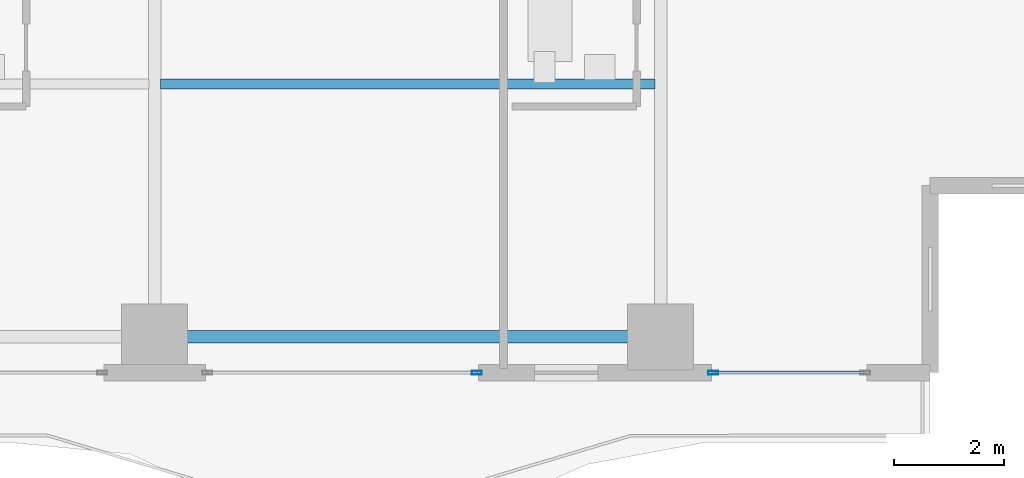
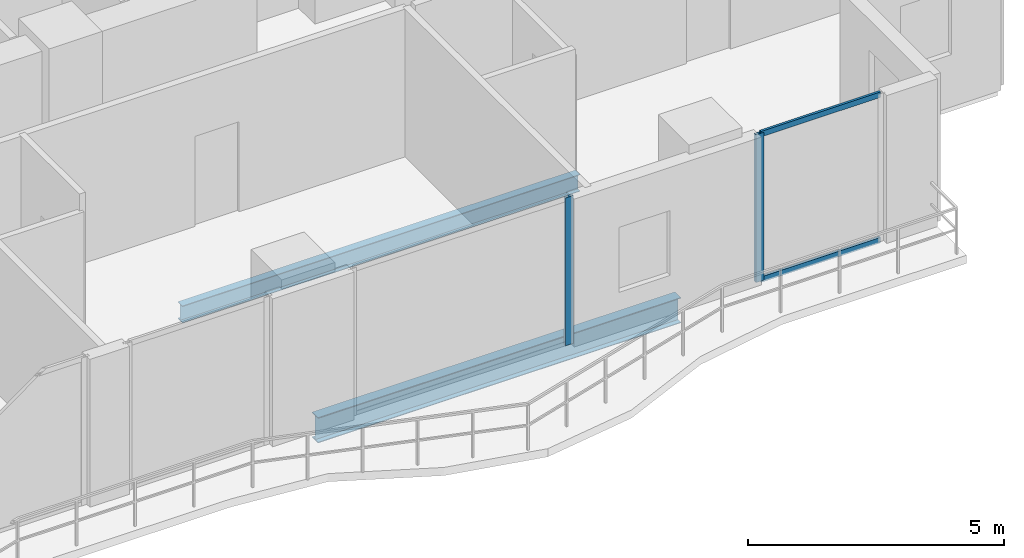
# One storey, part 10 of 33: 4 members, 2 beams, 2 elements without a shape of their own.
"""IFC4 building model written with IfcOpenShell, lengths in metres."""

from ifc_helpers import new_model, si_unit, direction, frame, origin, origin_2d, place, context, subcontext, project, spatial, hollow_rectangle, i_section, extrude, material, layer, layer_set, material_profile, profile_set, type_object, element, aggregate, save


model = new_model("IFC4")

# Units and contexts
model_context = context("Model", 3, precision=1e-05, world=origin(), true_north=direction((0.0, 1.0)))
body_context = subcontext(model_context, "Body", "Model", "MODEL_VIEW")
ifc_project = project(units=[si_unit("LENGTHUNIT", "METRE"), si_unit("AREAUNIT", "SQUARE_METRE"), si_unit("VOLUMEUNIT", "CUBIC_METRE"), si_unit("PLANEANGLEUNIT", "RADIAN"), si_unit("MASSUNIT", "GRAM", prefix="KILO")], contexts=[model_context])

# Site, building, storey
site_placement = place(None, origin())
site = spatial("IfcSite", under=ifc_project, at=site_placement, CompositionType="ELEMENT")
building_placement = place(site_placement, origin())
building = spatial("IfcBuilding", under=site, at=building_placement, Name="Zuhayl Quay Hotel", CompositionType="ELEMENT")
storey_placement = place(building_placement, frame((0.0, 0.0, 214.89990234375)))
storey = spatial("IfcBuildingStorey", under=building, at=storey_placement, Name="L54", CompositionType="ELEMENT", Elevation=214.89990234375)

# Beams
ifc_material_1 = material(Name="Steel ASTM A992 Grade 50", Category="steel")
ifc_material_profile_1 = material_profile(ifc_material_1, i_section(OverallWidth=0.22802734375, OverallDepth=0.60693359375, WebThickness=0.01123046875, FlangeThickness=0.017333984375, at=origin_2d()), Name="W24X76")
ifc_profile_set_1 = profile_set([ifc_material_profile_1], Name="Steel ASTM A992 Grade 50")
beam_type_1 = type_object("IfcBeamType", Name="BM_B3_W24X76", PredefinedType="BEAM", material=ifc_profile_set_1)
beam_1_placement = place(storey_placement, frame((5.10009765625, -6.949951171875, -0.5234375), z_axis=(1.0, 0.0, 0.0), x_axis=(0.0, 1.0, 0.0)))
element("IfcBeam", 1, at=beam_1_placement, inside=storey, type_object=beam_type_1, Name="L54 Floor Beam RG_L54_03", PredefinedType="BEAM", context=body_context, shape_type="SweptSolid", body=[
    extrude(i_section(OverallWidth=0.22802734375, OverallDepth=0.60693359375, WebThickness=0.01123046875, FlangeThickness=0.017333984375, at=origin_2d()), origin(), (0.0, 0.0, 1.0), 8.199951171875),
])
ifc_material_profile_2 = material_profile(ifc_material_1, i_section(OverallWidth=0.177978515625, OverallDepth=0.406005859375, WebThickness=0.0078125, FlangeThickness=0.0126953125, at=origin_2d()), Name="W16X40")
ifc_profile_set_2 = profile_set([ifc_material_profile_2], Name="Steel ASTM A992 Grade 50")
beam_type_2 = type_object("IfcBeamType", Name="BM_J2B_W16X40", PredefinedType="JOIST", material=ifc_profile_set_2)
beam_2_placement = place(storey_placement, frame((4.7060546875, -2.35009765625, -0.4228515625), z_axis=(1.0, 0.0, 0.0), x_axis=(0.0, 1.0, 0.0)))
element("IfcBeam", 2, at=beam_2_placement, inside=storey, type_object=beam_type_2, Name="L54 Floor Beam FJ_L54_7_3", PredefinedType="JOIST", context=body_context, shape_type="SweptSolid", body=[
    extrude(i_section(OverallWidth=0.177978515625, OverallDepth=0.406005859375, WebThickness=0.0078125, FlangeThickness=0.0126953125, at=origin_2d()), origin(), (0.0, 0.0, 1.0), 8.988037109375),
])

# Curtain wall, member
ifc_material_2 = material(Name="Anodised Aluminium 6063-T6", Category="aluminium")
ifc_layer = layer(ifc_material_2, 0.175048828125, Name="Anodised Aluminium 6063-T6", Category="aluminium")
ifc_layer_set = layer_set([ifc_layer], Name="Anodised Aluminium 6063-T6")
curtain_wall_type = type_object("IfcCurtainWallType", Name="CW_SYS_Z3", PredefinedType="USERDEFINED", material=ifc_layer_set)
curtain_wall_1_placement = place(storey_placement, origin())
curtain_wall_1 = element("IfcCurtainWall", 3, at=curtain_wall_1_placement, inside=storey, type_object=curtain_wall_type, Name="L54 Curtain Wall ENV_L54_S_CW1", ObjectType="UNITISED CURTAIN WALL", PredefinedType="USERDEFINED")
ifc_material_3 = material(Name="Black-anodised aluminium 6063-T6", Category="aluminium")
ifc_material_profile_3 = material_profile(ifc_material_3, hollow_rectangle(XDim=0.06494140625, YDim=0.179931640625, WallThickness=0.00341796875, at=origin_2d()), Name="ALU180X65")
ifc_profile_set_3 = profile_set([ifc_material_profile_3], Name="Black-anodised aluminium 6063-T6")
member_type_1 = type_object("IfcMemberType", Name="MB_CW_MUL_180", PredefinedType="MULLION", material=ifc_profile_set_3)
member_1_placement = place(storey_placement, frame((14.75244140625, -7.60009765625, 0.0), z_axis=(0.0, 0.0, 1.0), x_axis=(0.0, -1.0, 0.0)))
member_1 = element("IfcMember", 4, at=member_1_placement, type_object=member_type_1, Name="CW-Z3 mullion 2", PredefinedType="MULLION", context=body_context, shape_type="SweptSolid", body=[
    extrude(hollow_rectangle(XDim=0.06494140625, YDim=0.179931640625, WallThickness=0.00341796875, at=origin_2d()), origin(), (0.0, 0.0, 1.0), 3.530029296875),
])

curtain_wall_2_placement = place(storey_placement, origin())
curtain_wall_2 = element("IfcCurtainWall", 5, at=curtain_wall_2_placement, inside=storey, type_object=curtain_wall_type, Name="L54 Curtain Wall ENV_L54_S_CW2", ObjectType="UNITISED CURTAIN WALL", PredefinedType="USERDEFINED")
member_2_placement = place(storey_placement, frame((10.45751953125, -7.60009765625, 0.0), z_axis=(0.0, 0.0, 1.0), x_axis=(0.0, -1.0, 0.0)))
member_2 = element("IfcMember", 6, at=member_2_placement, type_object=member_type_1, Name="CW-Z3 mullion 1", PredefinedType="MULLION", context=body_context, shape_type="SweptSolid", body=[
    extrude(hollow_rectangle(XDim=0.06494140625, YDim=0.179931640625, WallThickness=0.00341796875, at=origin_2d()), origin(), (0.0, 0.0, 1.0), 3.530029296875),
])
aggregate(curtain_wall_2, [member_2])

# Member
ifc_material_profile_4 = material_profile(ifc_material_3, hollow_rectangle(XDim=0.054931640625, YDim=0.1298828125, WallThickness=0.0029296875, at=origin_2d()), Name="ALU130X55")
ifc_profile_set_4 = profile_set([ifc_material_profile_4], Name="Black-anodised aluminium 6063-T6")
member_type_2 = type_object("IfcMemberType", Name="MB_CW_TRN_130", PredefinedType="USERDEFINED", material=ifc_profile_set_4)
member_3_placement = place(storey_placement, frame((17.485107421875, -7.60009765625, 0.027587890625), z_axis=(-1.0, 0.0, 0.0), x_axis=(0.0, -1.0, 0.0)))
member_3 = element("IfcMember", 7, at=member_3_placement, type_object=member_type_2, Name="CW-Z3 transom 1.1", ObjectType="TRANSOM", PredefinedType="USERDEFINED", context=body_context, shape_type="SweptSolid", body=[
    extrude(hollow_rectangle(XDim=0.054931640625, YDim=0.1298828125, WallThickness=0.0029296875, at=origin_2d()), origin(), (0.0, 0.0, 1.0), 2.7001953125),
])

member_4_placement = place(storey_placement, frame((17.485107421875, -7.60009765625, 3.502685546875), z_axis=(-1.0, 0.0, 0.0), x_axis=(0.0, -1.0, 0.0)))
member_4 = element("IfcMember", 8, at=member_4_placement, type_object=member_type_2, Name="CW-Z3 transom 1.2", ObjectType="TRANSOM", PredefinedType="USERDEFINED", context=body_context, shape_type="SweptSolid", body=[
    extrude(hollow_rectangle(XDim=0.054931640625, YDim=0.1298828125, WallThickness=0.0029296875, at=origin_2d()), origin(), (0.0, 0.0, 1.0), 2.7001953125),
])

aggregate(curtain_wall_1, [member_1, member_3, member_4])

save(model, "model.ifc")
